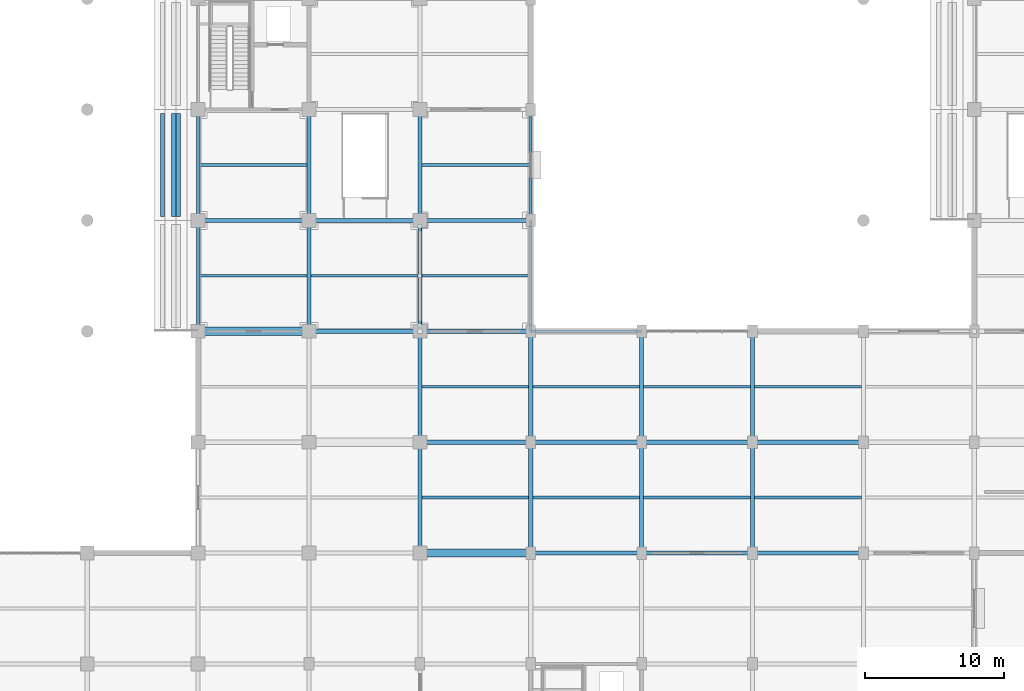
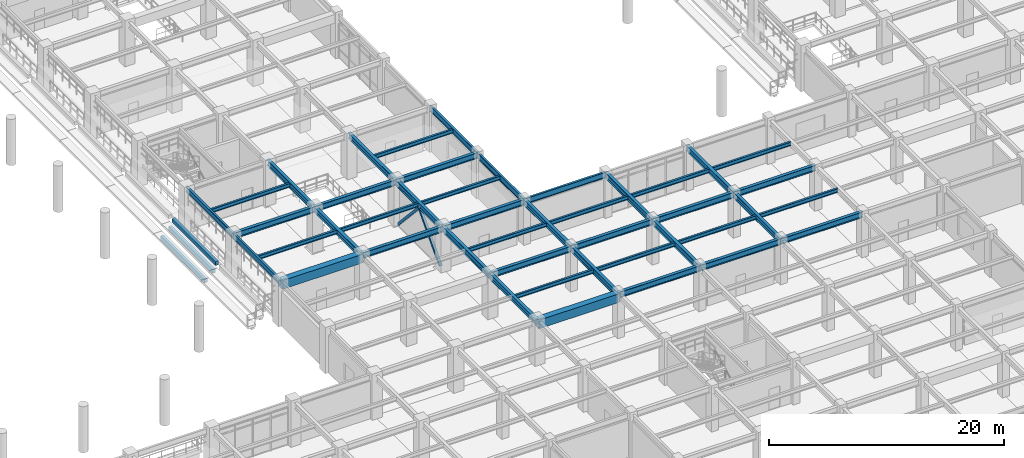
# One storey, part 29 of 117: 47 beams, 2 members.
"""IFC4 building model written with IfcOpenShell, lengths in metres."""

from ifc_helpers import new_model, si_unit, direction, frame, origin, origin_2d, place, context, subcontext, project, spatial, rectangle, hollow_rectangle, i_section, extrude, material, material_profile, profile_set, type_object, element, save


model = new_model("IFC4")

# Units and contexts
model_context = context("Model", 3, precision=1e-05, world=origin(), true_north=direction((0.0, 1.0)))
body_context = subcontext(model_context, "Body", "Model", "MODEL_VIEW")
ifc_project = project(units=[si_unit("LENGTHUNIT", "METRE"), si_unit("AREAUNIT", "SQUARE_METRE"), si_unit("VOLUMEUNIT", "CUBIC_METRE"), si_unit("PLANEANGLEUNIT", "RADIAN"), si_unit("MASSUNIT", "GRAM", prefix="KILO")], contexts=[model_context])

# Site, building, storey
site_placement = place(None, origin())
site = spatial("IfcSite", under=ifc_project, at=site_placement, CompositionType="ELEMENT")
building_placement = place(site_placement, origin())
building = spatial("IfcBuilding", under=site, at=building_placement, Name="Haebicheon Civic Stadium", CompositionType="ELEMENT")
storey_placement = place(building_placement, frame((0.0, 0.0, 4.800048828125)))
storey = spatial("IfcBuildingStorey", under=building, at=storey_placement, Name="L02", CompositionType="ELEMENT", Elevation=4.800048828125)

# Beams
ifc_material_1 = material(Name="Precast concrete C40/50", Category="concrete")
ifc_material_profile_1 = material_profile(ifc_material_1, rectangle(XDim=0.300048828125, YDim=0.39990234375, at=origin_2d()), Name="PC-LN-300x400")
ifc_profile_set_1 = profile_set([ifc_material_profile_1], Name="Precast concrete C40/50")
beam_type_1 = type_object("IfcBeamType", Name="BM-LN-300x400", PredefinedType="LINTEL", material=ifc_profile_set_1)
for number, where, z_axis, x_axis, name in (
    (1, (141.43994140625, 56.280029296875, 0.22705078125), (0.0, 1.0, 0.0), (-1.0, 0.0, 0.0), "TIER-E-L precast step carrier beam 2.7"),
    (2, (142.239990234375, 56.280029296875, 0.93798828125), (0.0, 1.0, 0.0), (-1.0, 0.0, 0.0), "TIER-E-L precast step carrier beam 2.8"),
    (3, (142.56005859375, 56.280029296875, 1.64892578125), (0.0, 1.0, 0.0), (-1.0, 0.0, 0.0), "TIER-E-L precast step carrier beam 2.9"),
):
    element("IfcBeam", number, at=place(storey_placement, frame(where, z_axis=z_axis, x_axis=x_axis)), inside=storey, type_object=beam_type_1, material=ifc_profile_set_1, Name=name, PredefinedType="LINTEL", context=body_context, shape_type="SweptSolid", body=[
        extrude(rectangle(XDim=0.300048828125, YDim=0.39990234375, at=origin_2d()), origin(), (0.0, 0.0, 1.0), 7.43994140625),
    ])
ifc_material_2 = material(Name="Concrete C40/50", Category="concrete")
ifc_material_profile_2 = material_profile(ifc_material_2, rectangle(XDim=0.60009765625, YDim=0.89990234375, at=origin_2d()), Name="RC-BM-600x900")
ifc_profile_set_2 = profile_set([ifc_material_profile_2], Name="Concrete C40/50")
beam_type_2 = type_object("IfcBeamType", Name="BM-RC-600x900", PredefinedType="BEAM", material=ifc_profile_set_2)
for number, where, z_axis, x_axis, name in (
    (4, (144.0, 48.0, 4.070068359375), (1.0, 0.0, 0.0), (0.0, 1.0, 0.0), "L02 beam G/19-20"),
    (5, (160.0, 32.0, 4.070068359375), (1.0, 0.0, 0.0), (0.0, 1.0, 0.0), "L02 beam E/21-22"),
):
    element("IfcBeam", number, at=place(storey_placement, frame(where, z_axis=z_axis, x_axis=x_axis)), inside=storey, type_object=beam_type_2, material=ifc_profile_set_2, Name=name, PredefinedType="BEAM", context=body_context, shape_type="SweptSolid", body=[
        extrude(rectangle(XDim=0.60009765625, YDim=0.89990234375, at=origin_2d()), origin(), (0.0, 0.0, 1.0), 8.0),
    ])
ifc_material_3 = material(Name="Steel SM355 (S355)", Category="steel")
ifc_material_profile_3 = material_profile(ifc_material_3, i_section(OverallWidth=0.300048828125, OverallDepth=0.60009765625, WebThickness=0.011962890625, FlangeThickness=0.02001953125, at=origin_2d()), Name="H-600x300x12x20")
ifc_profile_set_3 = profile_set([ifc_material_profile_3], Name="Steel SM355 (S355)")
beam_type_3 = type_object("IfcBeamType", Name="BM-ST-H600A", PredefinedType="BEAM", material=ifc_profile_set_3)
for number, where, z_axis, x_axis, name in (
    (6, (152.0, 48.0, 4.219970703125), (0.0, 1.0, 0.0), (-1.0, 0.0, 0.0), "L02 girder 20/G-H"),
    (7, (152.0, 56.0, 4.219970703125), (0.0, 1.0, 0.0), (-1.0, 0.0, 0.0), "L02 girder 20/H-J"),
    (8, (160.0, 32.0, 4.219970703125), (0.0, 1.0, 0.0), (-1.0, 0.0, 0.0), "L02 girder 21/E-F"),
    (9, (160.0, 40.0, 4.219970703125), (0.0, 1.0, 0.0), (-1.0, 0.0, 0.0), "L02 girder 21/F-G"),
    (10, (160.0, 48.0, 4.219970703125), (0.0, 1.0, 0.0), (-1.0, 0.0, 0.0), "L02 girder 21/G-H"),
    (11, (160.0, 56.0, 4.219970703125), (0.0, 1.0, 0.0), (-1.0, 0.0, 0.0), "L02 girder 21/H-J"),
    (12, (168.0, 32.0, 4.219970703125), (0.0, 1.0, 0.0), (-1.0, 0.0, 0.0), "L02 girder 22/E-F"),
    (13, (168.0, 40.0, 4.219970703125), (0.0, 1.0, 0.0), (-1.0, 0.0, 0.0), "L02 girder 22/F-G"),
    (14, (176.0, 32.0, 4.219970703125), (0.0, 1.0, 0.0), (-1.0, 0.0, 0.0), "L02 girder 23/E-F"),
    (15, (176.0, 40.0, 4.219970703125), (0.0, 1.0, 0.0), (-1.0, 0.0, 0.0), "L02 girder 23/F-G"),
    (16, (184.0, 32.0, 4.219970703125), (0.0, 1.0, 0.0), (-1.0, 0.0, 0.0), "L02 girder 24/E-F"),
    (17, (184.0, 40.0, 4.219970703125), (0.0, 1.0, 0.0), (-1.0, 0.0, 0.0), "L02 girder 24/F-G"),
    (18, (144.0, 56.0, 4.219970703125), (1.0, 0.0, 0.0), (0.0, 1.0, 0.0), "L02 beam H/19-20"),
    (19, (152.0, 48.0, 4.219970703125), (1.0, 0.0, 0.0), (0.0, 1.0, 0.0), "L02 beam G/20-21"),
    (20, (152.0, 56.0, 4.219970703125), (1.0, 0.0, 0.0), (0.0, 1.0, 0.0), "L02 beam H/20-21"),
    (21, (160.0, 40.0, 4.219970703125), (1.0, 0.0, 0.0), (0.0, 1.0, 0.0), "L02 beam F/21-22"),
    (22, (160.0, 48.0, 4.219970703125), (1.0, 0.0, 0.0), (0.0, 1.0, 0.0), "L02 beam G/21-22"),
    (23, (160.0, 56.0, 4.219970703125), (1.0, 0.0, 0.0), (0.0, 1.0, 0.0), "L02 beam H/21-22"),
    (24, (168.0, 32.0, 4.219970703125), (1.0, 0.0, 0.0), (0.0, 1.0, 0.0), "L02 beam E/22-23"),
    (25, (168.0, 40.0, 4.219970703125), (1.0, 0.0, 0.0), (0.0, 1.0, 0.0), "L02 beam F/22-23"),
    (26, (176.0, 32.0, 4.219970703125), (1.0, 0.0, 0.0), (0.0, 1.0, 0.0), "L02 beam E/23-24"),
    (27, (176.0, 40.0, 4.219970703125), (1.0, 0.0, 0.0), (0.0, 1.0, 0.0), "L02 beam F/23-24"),
    (28, (184.0, 32.0, 4.219970703125), (1.0, 0.0, 0.0), (0.0, 1.0, 0.0), "L02 beam E/24-25"),
    (29, (184.0, 40.0, 4.219970703125), (1.0, 0.0, 0.0), (0.0, 1.0, 0.0), "L02 beam F/24-25"),
):
    element("IfcBeam", number, at=place(storey_placement, frame(where, z_axis=z_axis, x_axis=x_axis)), inside=storey, type_object=beam_type_3, material=ifc_profile_set_3, Name=name, PredefinedType="BEAM", context=body_context, shape_type="SweptSolid", body=[
        extrude(i_section(OverallWidth=0.300048828125, OverallDepth=0.60009765625, WebThickness=0.011962890625, FlangeThickness=0.02001953125, at=origin_2d()), origin(), (0.0, 0.0, 1.0), 8.0),
    ])

# Members
ifc_material_4 = material(Name="Steel SM490", Category="steel")
ifc_material_profile_4 = material_profile(ifc_material_4, hollow_rectangle(XDim=0.25, YDim=0.25, WallThickness=0.011962890625, at=origin_2d()), Name="RHS-250x250x12.0")
ifc_profile_set_4 = profile_set([ifc_material_profile_4], Name="Steel SM490")
member_type = type_object("IfcMemberType", Name="BRC-RHS250", PredefinedType="BRACE", material=ifc_profile_set_4)
for number, where, z_axis, x_axis, name in (
    (30, (160.0, 48.419921875, 0.0400390625), (0.0, 0.676254882326, 0.736667723014), (-1.0, 0.0, 0.0), "BR250 chevron brace L02 19-06 A"),
    (31, (160.0, 55.580078125, 0.0400390625), (0.0, -0.676254882326, 0.736667723014), (1.0, 0.0, 0.0), "BR250 chevron brace L02 19-06 B"),
):
    element("IfcMember", number, at=place(storey_placement, frame(where, z_axis=z_axis, x_axis=x_axis)), inside=storey, type_object=member_type, material=ifc_profile_set_4, Name=name, PredefinedType="BRACE", context=body_context, shape_type="SweptSolid", body=[
        extrude(hollow_rectangle(XDim=0.25, YDim=0.25, WallThickness=0.011962890625, at=origin_2d()), origin(), (0.0, 0.0, 1.0), 5.2939453125),
    ])

# Beams
ifc_material_5 = material(Name="Steel SM355 (S355)", Category="steel")
ifc_material_profile_5 = material_profile(ifc_material_5, i_section(OverallWidth=0.199951171875, OverallDepth=0.39990234375, WebThickness=0.008056640625, FlangeThickness=0.012939453125, at=origin_2d()), Name="H-400x200x8x13")
ifc_profile_set_5 = profile_set([ifc_material_profile_5], Name="Steel SM355 (S355)")
beam_type_4 = type_object("IfcBeamType", Name="JST-ST-H400", PredefinedType="JOIST", material=ifc_profile_set_5)
for number, where, z_axis, x_axis, name in (
    (32, (144.10009765625, 52.0, 4.320068359375), (1.0, 0.0, 0.0), (0.0, 1.0, 0.0), "L02 secondary joist 18-06"),
    (33, (144.10009765625, 60.0, 4.320068359375), (1.0, 0.0, 0.0), (0.0, 1.0, 0.0), "L02 secondary joist 18-07"),
):
    element("IfcBeam", number, at=place(storey_placement, frame(where, z_axis=z_axis, x_axis=x_axis)), inside=storey, type_object=beam_type_4, material=ifc_profile_set_5, Name=name, PredefinedType="JOIST", context=body_context, shape_type="SweptSolid", body=[
        extrude(i_section(OverallWidth=0.199951171875, OverallDepth=0.39990234375, WebThickness=0.008056640625, FlangeThickness=0.012939453125, at=origin_2d()), origin(), (0.0, 0.0, 1.0), 7.75),
    ])
for number, where, z_axis, x_axis, name in (
    (34, (152.14990234375, 52.0, 4.320068359375), (1.0, 0.0, 0.0), (0.0, 1.0, 0.0), "L02 secondary joist 19-06"),
    (35, (160.14990234375, 36.0, 4.320068359375), (1.0, 0.0, 0.0), (0.0, 1.0, 0.0), "L02 secondary joist 20-04"),
    (36, (160.14990234375, 44.0, 4.320068359375), (1.0, 0.0, 0.0), (0.0, 1.0, 0.0), "L02 secondary joist 20-05"),
):
    element("IfcBeam", number, at=place(storey_placement, frame(where, z_axis=z_axis, x_axis=x_axis)), inside=storey, type_object=beam_type_4, material=ifc_profile_set_5, Name=name, PredefinedType="JOIST", context=body_context, shape_type="SweptSolid", body=[
        extrude(i_section(OverallWidth=0.199951171875, OverallDepth=0.39990234375, WebThickness=0.008056640625, FlangeThickness=0.012939453125, at=origin_2d()), origin(), (0.0, 0.0, 1.0), 7.7001953125),
    ])
for number, where, z_axis, x_axis, name in (
    (37, (160.14990234375, 52.0, 4.320068359375), (1.0, 0.0, 0.0), (0.0, 1.0, 0.0), "L02 secondary joist 20-06"),
    (38, (160.14990234375, 60.0, 4.320068359375), (1.0, 0.0, 0.0), (0.0, 1.0, 0.0), "L02 secondary joist 20-07"),
):
    element("IfcBeam", number, at=place(storey_placement, frame(where, z_axis=z_axis, x_axis=x_axis)), inside=storey, type_object=beam_type_4, material=ifc_profile_set_5, Name=name, PredefinedType="JOIST", context=body_context, shape_type="SweptSolid", body=[
        extrude(i_section(OverallWidth=0.199951171875, OverallDepth=0.39990234375, WebThickness=0.008056640625, FlangeThickness=0.012939453125, at=origin_2d()), origin(), (0.0, 0.0, 1.0), 7.75),
    ])
for number, where, z_axis, x_axis, name in (
    (39, (168.14990234375, 36.0, 4.320068359375), (1.0, 0.0, 0.0), (0.0, 1.0, 0.0), "L02 secondary joist 21-04"),
    (40, (168.14990234375, 44.0, 4.320068359375), (1.0, 0.0, 0.0), (0.0, 1.0, 0.0), "L02 secondary joist 21-05"),
    (41, (176.14990234375, 36.0, 4.320068359375), (1.0, 0.0, 0.0), (0.0, 1.0, 0.0), "L02 secondary joist 22-04"),
    (42, (176.14990234375, 44.0, 4.320068359375), (1.0, 0.0, 0.0), (0.0, 1.0, 0.0), "L02 secondary joist 22-05"),
    (43, (184.14990234375, 36.0, 4.320068359375), (1.0, 0.0, 0.0), (0.0, 1.0, 0.0), "L02 secondary joist 23-04"),
    (44, (184.14990234375, 44.0, 4.320068359375), (1.0, 0.0, 0.0), (0.0, 1.0, 0.0), "L02 secondary joist 23-05"),
):
    element("IfcBeam", number, at=place(storey_placement, frame(where, z_axis=z_axis, x_axis=x_axis)), inside=storey, type_object=beam_type_4, material=ifc_profile_set_5, Name=name, PredefinedType="JOIST", context=body_context, shape_type="SweptSolid", body=[
        extrude(i_section(OverallWidth=0.199951171875, OverallDepth=0.39990234375, WebThickness=0.008056640625, FlangeThickness=0.012939453125, at=origin_2d()), origin(), (0.0, 0.0, 1.0), 7.7001953125),
    ])
ifc_material_6 = material(Name="Steel SM355 (S355)", Category="steel")
ifc_material_profile_6 = material_profile(ifc_material_6, i_section(OverallWidth=0.199951171875, OverallDepth=0.60009765625, WebThickness=0.010986328125, FlangeThickness=0.01708984375, at=origin_2d()), Name="H-600x200x11x17")
ifc_profile_set_6 = profile_set([ifc_material_profile_6], Name="Steel SM355 (S355)")
beam_type_5 = type_object("IfcBeamType", Name="SPD-ST-H600B", PredefinedType="SPANDREL", material=ifc_profile_set_6)
for number, where, z_axis, x_axis, name in (
    (45, (144.0, 48.0, 4.219970703125), (0.0, 1.0, 0.0), (-1.0, 0.0, 0.0), "L02 girder 19/G-H"),
    (46, (144.0, 56.0, 4.219970703125), (0.0, 1.0, 0.0), (-1.0, 0.0, 0.0), "L02 girder 19/H-J"),
    (47, (168.0, 48.0, 4.219970703125), (0.0, 1.0, 0.0), (-1.0, 0.0, 0.0), "L02 girder 22/G-H"),
    (48, (168.0, 56.0, 4.219970703125), (0.0, 1.0, 0.0), (-1.0, 0.0, 0.0), "L02 girder 22/H-J"),
    (49, (168.0, 48.0, 4.219970703125), (1.0, 0.0, 0.0), (0.0, 1.0, 0.0), "L02 beam G/22-23"),
):
    element("IfcBeam", number, at=place(storey_placement, frame(where, z_axis=z_axis, x_axis=x_axis)), inside=storey, type_object=beam_type_5, material=ifc_profile_set_6, Name=name, PredefinedType="SPANDREL", context=body_context, shape_type="SweptSolid", body=[
        extrude(i_section(OverallWidth=0.199951171875, OverallDepth=0.60009765625, WebThickness=0.010986328125, FlangeThickness=0.01708984375, at=origin_2d()), origin(), (0.0, 0.0, 1.0), 8.0),
    ])

save(model, "model.ifc")
